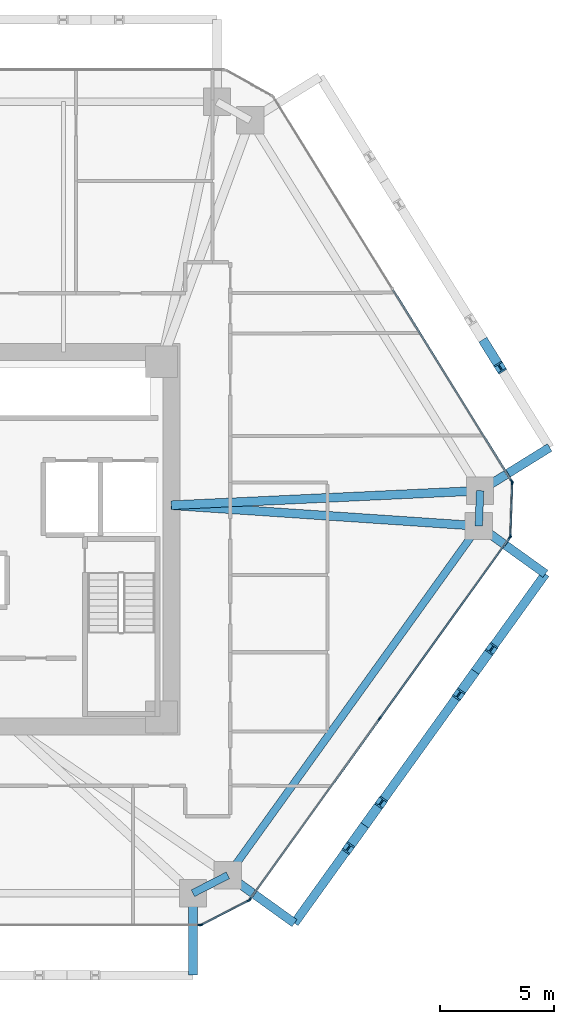
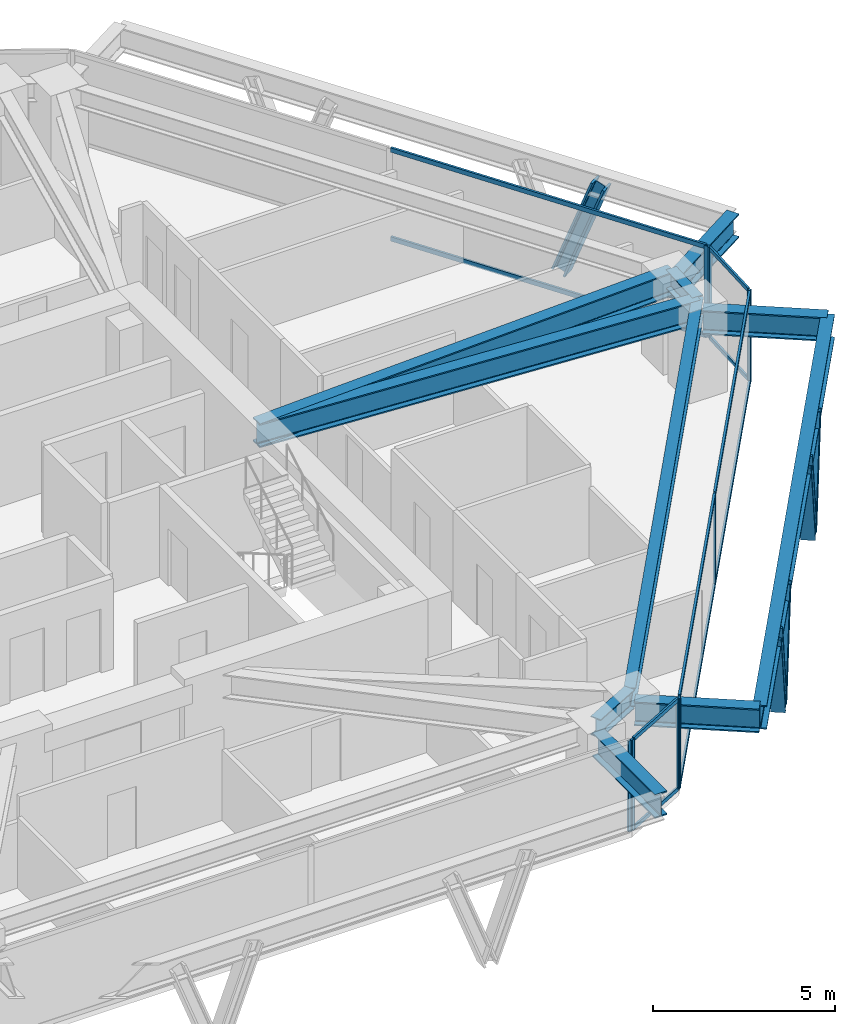
# One storey, part 5 of 14: 24 members, 10 beams, 5 elements without a shape of their own.
"""IFC4 building model written with IfcOpenShell, lengths in metres."""

from ifc_helpers import new_model, si_unit, direction, frame, origin, origin_2d, place, context, subcontext, project, spatial, rectangle, i_section, extrude, source, transform, mapped, material, layer, layer_set, material_profile, profile_set, type_object, type_shapes, element, aggregate, save


model = new_model("IFC4")

# Units and contexts
model_context = context("Model", 3, precision=1e-05, world=origin(), true_north=direction((0.0, 1.0)))
body_context = subcontext(model_context, "Body", "Model", "MODEL_VIEW")
ifc_project = project(units=[si_unit("LENGTHUNIT", "METRE"), si_unit("AREAUNIT", "SQUARE_METRE"), si_unit("VOLUMEUNIT", "CUBIC_METRE"), si_unit("PLANEANGLEUNIT", "RADIAN"), si_unit("MASSUNIT", "GRAM", prefix="KILO")], contexts=[model_context])

# Site, building, storey
site_placement = place(None, origin())
site = spatial("IfcSite", under=ifc_project, at=site_placement, CompositionType="ELEMENT")
building_placement = place(site_placement, origin())
building = spatial("IfcBuilding", under=site, at=building_placement, Name="Durnholm Broadcast Tower", CompositionType="ELEMENT")
storey_placement = place(building_placement, frame((0.0, 0.0, 120.60009765625)))
storey = spatial("IfcBuildingStorey", under=building, at=storey_placement, Name="L32", CompositionType="ELEMENT", Elevation=120.60009765625)

# Beams
ifc_material_1 = material(Name="Steel ASTM A992 Grade 50", Category="steel")
ifc_material_profile_1 = material_profile(ifc_material_1, i_section(OverallWidth=0.385009765625, OverallDepth=0.802978515625, WebThickness=0.023681640625, FlangeThickness=0.0419921875, FilletRadius=0.032958984375, at=origin_2d()), Name="W30X261")
ifc_profile_set_1 = profile_set([ifc_material_profile_1], Name="Steel ASTM A992 Grade 50")
beam_type_1 = type_object("IfcBeamType", Name="BM-EXO-TIE", PredefinedType="USERDEFINED", material=ifc_profile_set_1)
shared_shape_1 = source(origin(), body_context, "Body", "SweptSolid", [
    extrude(i_section(OverallWidth=0.385009765625, OverallDepth=0.802978515625, WebThickness=0.023681640625, FlangeThickness=0.0419921875, FilletRadius=0.032958984375, at=origin_2d()), origin(), (0.0, 0.0, 1.0), 3.4560546875),
])
for number, where, z_axis, x_axis, name in (
    (1, (11.176025390625, -15.680908203125, 2.30859375), (0.0, -1.0, 0.0), (1.0, 0.0, 0.0), "L32 exoskeleton stand-off tie bracket F1.2"),
    (2, (12.826904296875, -14.834228515625, 2.30859375), (0.812164951739, -0.583427880005, 0.0), (0.583427880005, 0.812164951739, 0.0), "L32 exoskeleton stand-off tie bracket F2.1"),
    (3, (23.844970703125, 0.5029296875, 2.30859375), (0.812164951739, -0.583427880005, 0.0), (0.583427880005, 0.812164951739, 0.0), "L32 exoskeleton stand-off tie bracket F2.2"),
    (4, (23.903076171875, 2.21240234375, 2.30859375), (0.849795112316, 0.527113144481, 0.0), (-0.527113144481, 0.849795112316, 0.0), "L32 exoskeleton stand-off tie bracket F3.1"),
):
    element("IfcBeam", number, at=place(storey_placement, frame(where, z_axis=z_axis, x_axis=x_axis)), inside=storey, type_object=beam_type_1, Name=name, ObjectType="GIRDER", PredefinedType="USERDEFINED", context=body_context, shape_type="MappedRepresentation", body=[
        mapped(shared_shape_1, transform((0.0, 0.0, 0.0), x_axis=(1.0, 0.0, 0.0), y_axis=(0.0, 1.0, 0.0), z_axis=(0.0, 0.0, 1.0), scale=1.0)),
    ])
ifc_material_profile_2 = material_profile(ifc_material_1, i_section(OverallWidth=0.3291015625, OverallDepth=0.635009765625, WebThickness=0.017822265625, FlangeThickness=0.031005859375, FilletRadius=0.02783203125, at=origin_2d()), Name="W24X162")
ifc_profile_set_2 = profile_set([ifc_material_profile_2], Name="Steel ASTM A992 Grade 50")
beam_type_2 = type_object("IfcBeamType", Name="STL-SP-W24X162", PredefinedType="SPANDREL", material=ifc_profile_set_2)
shared_shape_2 = source(origin(), body_context, "Body", "SweptSolid", [
    extrude(i_section(OverallWidth=0.3291015625, OverallDepth=0.635009765625, WebThickness=0.017822265625, FlangeThickness=0.031005859375, FilletRadius=0.02783203125, at=origin_2d()), origin(), (0.0, 0.0, 1.0), 18.884521484375),
])
beam_1_placement = place(storey_placement, frame((23.72802734375, 0.5869140625, 2.727294921875), z_axis=(-0.583443434414, -0.812153777827, 0.0), x_axis=(0.812153777827, -0.583443434414, 0.0)))
element("IfcBeam", 5, at=beam_1_placement, inside=storey, type_object=beam_type_2, Name="L32 perimeter spandrel girder 09", PredefinedType="SPANDREL", context=body_context, shape_type="MappedRepresentation", body=[
    mapped(shared_shape_2, transform((0.0, 0.0, 0.0), x_axis=(1.0, 0.0, 0.0), y_axis=(0.0, 1.0, 0.0), z_axis=(0.0, 0.0, 1.0), scale=1.0)),
])
shared_shape_3 = source(origin(), body_context, "Body", "SweptSolid", [
    extrude(i_section(OverallWidth=0.3291015625, OverallDepth=0.635009765625, WebThickness=0.017822265625, FlangeThickness=0.031005859375, FilletRadius=0.02783203125, at=origin_2d()), origin(), (0.0, 0.0, 1.0), 1.723876953125),
])
beam_2_placement = place(storey_placement, frame((12.7099609375, -14.750244140625, 2.727294921875), z_axis=(-0.889762904339, -0.456423020959, 0.0), x_axis=(0.456423020959, -0.889762904339, 0.0)))
element("IfcBeam", 6, at=beam_2_placement, inside=storey, type_object=beam_type_2, Name="L32 perimeter spandrel girder 10", PredefinedType="SPANDREL", context=body_context, shape_type="MappedRepresentation", body=[
    mapped(shared_shape_3, transform((0.0, 0.0, 0.0), x_axis=(1.0, 0.0, 0.0), y_axis=(0.0, 1.0, 0.0), z_axis=(0.0, 0.0, 1.0), scale=1.0)),
])
shared_shape_4 = source(origin(), body_context, "Body", "SweptSolid", [
    extrude(i_section(OverallWidth=0.3291015625, OverallDepth=0.635009765625, WebThickness=0.017822265625, FlangeThickness=0.031005859375, FilletRadius=0.02783203125, at=origin_2d()), origin(), (0.0, 0.0, 1.0), 1.55078125),
])
type_shapes(beam_type_2, [shared_shape_2, shared_shape_3, shared_shape_4])
beam_3_placement = place(storey_placement, frame((23.78076171875, 2.13671875, 2.727294921875), z_axis=(-0.03400678419, -0.999421602042, 0.0), x_axis=(0.999421602042, -0.03400678419, 0.0)))
element("IfcBeam", 7, at=beam_3_placement, inside=storey, type_object=beam_type_2, Name="L32 perimeter spandrel girder 08", PredefinedType="SPANDREL", context=body_context, shape_type="MappedRepresentation", body=[
    mapped(shared_shape_4, transform((0.0, 0.0, 0.0), x_axis=(1.0, 0.0, 0.0), y_axis=(0.0, 1.0, 0.0), z_axis=(0.0, 0.0, 1.0), scale=1.0)),
])
ifc_material_profile_3 = material_profile(ifc_material_1, i_section(OverallWidth=0.385009765625, OverallDepth=0.802978515625, WebThickness=0.023681640625, FlangeThickness=0.0419921875, FilletRadius=0.032958984375, at=origin_2d()), Name="W30X261")
ifc_profile_set_3 = profile_set([ifc_material_profile_3], Name="Steel ASTM A992 Grade 50")
beam_type_3 = type_object("IfcBeamType", Name="STL-GR-W30X261", PredefinedType="USERDEFINED", material=ifc_profile_set_3)
shared_shape_5 = source(origin(), body_context, "Body", "SweptSolid", [
    extrude(i_section(OverallWidth=0.385009765625, OverallDepth=0.802978515625, WebThickness=0.023681640625, FlangeThickness=0.0419921875, FilletRadius=0.032958984375, at=origin_2d()), origin(), (0.0, 0.0, 1.0), 13.570556640625),
])
beam_4_placement = place(storey_placement, frame((10.22509765625, 1.5, 2.643310546875), z_axis=(0.99889869961, 0.046918950518, 0.0), x_axis=(-0.046918950518, 0.99889869961, 0.0)))
element("IfcBeam", 8, at=beam_4_placement, inside=storey, type_object=beam_type_3, Name="L32 radial primary floor girder 08", ObjectType="GIRDER", PredefinedType="USERDEFINED", context=body_context, shape_type="MappedRepresentation", body=[
    mapped(shared_shape_5, transform((0.0, 0.0, 0.0), x_axis=(1.0, 0.0, 0.0), y_axis=(0.0, 1.0, 0.0), z_axis=(0.0, 0.0, 1.0), scale=1.0)),
])
shared_shape_6 = source(origin(), body_context, "Body", "SweptSolid", [
    extrude(i_section(OverallWidth=0.385009765625, OverallDepth=0.802978515625, WebThickness=0.023681640625, FlangeThickness=0.0419921875, FilletRadius=0.032958984375, at=origin_2d()), origin(), (0.0, 0.0, 1.0), 13.53369140625),
])
type_shapes(beam_type_3, [shared_shape_5, shared_shape_6])
beam_5_placement = place(storey_placement, frame((10.22509765625, 1.5, 2.643310546875), z_axis=(0.99772148964, -0.067467244725, 0.0), x_axis=(0.067467244725, 0.99772148964, 0.0)))
element("IfcBeam", 9, at=beam_5_placement, inside=storey, type_object=beam_type_3, Name="L32 radial primary floor girder 09", ObjectType="GIRDER", PredefinedType="USERDEFINED", context=body_context, shape_type="MappedRepresentation", body=[
    mapped(shared_shape_6, transform((0.0, 0.0, 0.0), x_axis=(1.0, 0.0, 0.0), y_axis=(0.0, 1.0, 0.0), z_axis=(0.0, 0.0, 1.0), scale=1.0)),
])
shared_shape_7 = source(origin(), body_context, "Body", "SweptSolid", [
    extrude(i_section(OverallWidth=0.385009765625, OverallDepth=0.802978515625, WebThickness=0.023681640625, FlangeThickness=0.0419921875, FilletRadius=0.032958984375, at=origin_2d()), origin(), (0.0, 0.0, 1.0), 18.884521484375),
])
type_shapes(beam_type_1, [shared_shape_1, shared_shape_7])
beam_6_placement = place(storey_placement, frame((15.6337890625, -16.8505859375, 2.30859375), z_axis=(0.583443434414, 0.812153777827, 0.0), x_axis=(-0.812153777827, 0.583443434414, 0.0)))
element("IfcBeam", 10, at=beam_6_placement, inside=storey, type_object=beam_type_1, Name="L32 exoskeleton collector spandrel F2", PredefinedType="SPANDREL", context=body_context, shape_type="MappedRepresentation", body=[
    mapped(shared_shape_7, transform((0.0, 0.0, 0.0), x_axis=(1.0, 0.0, 0.0), y_axis=(0.0, 1.0, 0.0), z_axis=(0.0, 0.0, 1.0), scale=1.0)),
])

# Members
ifc_material_2 = material(Name="Steel ASTM A913 Grade 65", Category="steel")
ifc_material_profile_4 = material_profile(ifc_material_2, i_section(OverallWidth=0.41845703125, OverallDepth=0.455078125, WebThickness=0.0419921875, FlangeThickness=0.067626953125, FilletRadius=0.030517578125, at=origin_2d()), Name="W14X370")
ifc_profile_set_4 = profile_set([ifc_material_profile_4], Name="Steel ASTM A913 Grade 65")
member_type_1 = type_object("IfcMemberType", Name="STL-DG-W14X370", PredefinedType="BRACE", material=ifc_profile_set_4)
shared_shape_8 = source(origin(), body_context, "Body", "SweptSolid", [
    extrude(i_section(OverallWidth=0.41845703125, OverallDepth=0.455078125, WebThickness=0.0419921875, FlangeThickness=0.067626953125, FilletRadius=0.030517578125, at=origin_2d()), origin(), (0.0, 0.0, 1.0), 3.523193359375),
])
type_shapes(member_type_1, [shared_shape_8])
for number, where, z_axis, x_axis, name in (
    (11, (18.71875, -12.556396484375, -0.991455078125), (-0.204287819296, -0.284395254542, 0.936688756248), (0.812179469647, -0.583407669717, 0.0), "L32 stand-off diagrid brace F2.D1.1"),
    (12, (18.71875, -12.556396484375, -0.991455078125), (0.204350195342, 0.284454917557, 0.936657033039), (-0.812153063014, 0.583444429434, 0.0), "L32 stand-off diagrid brace F2.D1.2"),
    (13, (23.56689453125, -5.807861328125, -0.991455078125), (-0.204350195342, -0.284454917557, 0.936657033039), (0.812153063014, -0.583444429434, 0.0), "L32 stand-off diagrid brace F2.D2.1"),
    (14, (23.56689453125, -5.807861328125, -0.991455078125), (0.204287819296, 0.284395254542, 0.936688756248), (-0.812179469647, 0.583407669717, 0.0), "L32 stand-off diagrid brace F2.D2.2"),
    (15, (24.01513671875, 8.58837890625, -0.991455078125), (0.184602835855, -0.297623566065, 0.936665364961), (0.849805205368, 0.527096872433, 0.0), "L32 stand-off diagrid brace F3.D1.1"),
):
    element("IfcMember", number, at=place(storey_placement, frame(where, z_axis=z_axis, x_axis=x_axis)), inside=storey, type_object=member_type_1, Name=name, PredefinedType="BRACE", context=body_context, shape_type="MappedRepresentation", body=[
        mapped(shared_shape_8, transform((0.0, 0.0, 0.0), x_axis=(1.0, 0.0, 0.0), y_axis=(0.0, 1.0, 0.0), z_axis=(0.0, 0.0, 1.0), scale=1.0)),
    ])

# Curtain wall, members
ifc_material_3 = material(Name="Aluminium and Solar Control IGU", Category="aluminium")
ifc_layer_1 = layer(ifc_material_3, 0.1650390625)
ifc_layer_set_1 = layer_set([ifc_layer_1], Name="Aluminium and Solar Control IGU")
curtain_wall_type_1 = type_object("IfcCurtainWallType", Name="CW-SYS-5", PredefinedType="NOTDEFINED", material=ifc_layer_set_1)
curtain_wall_1_placement = place(storey_placement, origin())
curtain_wall_1 = element("IfcCurtainWall", 16, at=curtain_wall_1_placement, inside=storey, type_object=curtain_wall_type_1, Name="L32 curtain wall CW-CORNER CW-L32-CRN-07", PredefinedType="NOTDEFINED")
ifc_material_4 = material(Name="Aluminium 6063-T6", Category="aluminium")
ifc_material_profile_5 = material_profile(ifc_material_4, rectangle(XDim=0.06494140625, YDim=0.1650390625, at=origin_2d()), Name="CWM65X165")
ifc_profile_set_5 = profile_set([ifc_material_profile_5], Name="Aluminium 6063-T6")
member_type_2 = type_object("IfcMemberType", Name="CW-SYS-5-MUL", PredefinedType="MULLION", material=ifc_profile_set_5)
shared_shape_9 = source(origin(), body_context, "Body", "SweptSolid", [
    extrude(rectangle(XDim=0.06494140625, YDim=0.1650390625, at=origin_2d()), origin(), (0.0, 0.0, 1.0), 3.059814453125),
])
type_shapes(member_type_2, [shared_shape_9])
member_1_placement = place(storey_placement, frame((25.193115234375, 2.481201171875, 0.0), z_axis=(0.0, 0.0, 1.0), x_axis=(0.999424655155, -0.033916937775, 0.0)))
member_1 = element("IfcMember", 17, at=member_1_placement, type_object=member_type_2, Name="CW-CORNER mullion 1", PredefinedType="MULLION", context=body_context, shape_type="MappedRepresentation", body=[
    mapped(shared_shape_9, transform((0.0, 0.0, 0.0), x_axis=(1.0, 0.0, 0.0), y_axis=(0.0, 1.0, 0.0), z_axis=(0.0, 0.0, 1.0), scale=1.0)),
])
member_2_placement = place(storey_placement, frame((25.114013671875, 0.1474609375, 0.0), z_axis=(0.0, 0.0, 1.0), x_axis=(0.999424655155, -0.033916937775, 0.0)))
member_2 = element("IfcMember", 18, at=member_2_placement, type_object=member_type_2, Name="CW-CORNER mullion 2", PredefinedType="MULLION", context=body_context, shape_type="MappedRepresentation", body=[
    mapped(shared_shape_9, transform((0.0, 0.0, 0.0), x_axis=(1.0, 0.0, 0.0), y_axis=(0.0, 1.0, 0.0), z_axis=(0.0, 0.0, 1.0), scale=1.0)),
])

curtain_wall_2_placement = place(storey_placement, origin())
curtain_wall_2 = element("IfcCurtainWall", 19, at=curtain_wall_2_placement, inside=storey, type_object=curtain_wall_type_1, Name="L32 curtain wall CW-CORNER CW-L32-CRN-09", PredefinedType="NOTDEFINED")
member_3_placement = place(storey_placement, frame((13.620849609375, -15.8564453125, 0.0), z_axis=(0.0, 0.0, 1.0), x_axis=(0.45637332267, -0.889788396392, 0.0)))
member_3 = element("IfcMember", 20, at=member_3_placement, type_object=member_type_2, Name="CW-CORNER mullion 1", PredefinedType="MULLION", context=body_context, shape_type="MappedRepresentation", body=[
    mapped(shared_shape_9, transform((0.0, 0.0, 0.0), x_axis=(1.0, 0.0, 0.0), y_axis=(0.0, 1.0, 0.0), z_axis=(0.0, 0.0, 1.0), scale=1.0)),
])
member_4_placement = place(storey_placement, frame((11.543212890625, -16.922119140625, 0.0), z_axis=(0.0, 0.0, 1.0), x_axis=(0.45637332267, -0.889788396392, 0.0)))
member_4 = element("IfcMember", 21, at=member_4_placement, type_object=member_type_2, Name="CW-CORNER mullion 2", PredefinedType="MULLION", context=body_context, shape_type="MappedRepresentation", body=[
    mapped(shared_shape_9, transform((0.0, 0.0, 0.0), x_axis=(1.0, 0.0, 0.0), y_axis=(0.0, 1.0, 0.0), z_axis=(0.0, 0.0, 1.0), scale=1.0)),
])

# Curtain wall, member
ifc_layer_2 = layer(ifc_material_3, 0.18994140625)
ifc_layer_set_2 = layer_set([ifc_layer_2], Name="Aluminium and Solar Control IGU")
curtain_wall_type_2 = type_object("IfcCurtainWallType", Name="CW-SYS-3", PredefinedType="NOTDEFINED", material=ifc_layer_set_2)
curtain_wall_3_placement = place(storey_placement, origin())
curtain_wall_3 = element("IfcCurtainWall", 22, at=curtain_wall_3_placement, inside=storey, type_object=curtain_wall_type_2, Name="L32 curtain wall CW-Z12-VIS CW-L32-F06", PredefinedType="NOTDEFINED")
ifc_material_profile_6 = material_profile(ifc_material_4, rectangle(XDim=0.070068359375, YDim=0.18994140625, at=origin_2d()), Name="CWM70X190")
ifc_profile_set_6 = profile_set([ifc_material_profile_6], Name="Aluminium 6063-T6")
member_type_3 = type_object("IfcMemberType", Name="CW-SYS-3-MUL", PredefinedType="MULLION", material=ifc_profile_set_6)
shared_shape_10 = source(origin(), body_context, "Body", "SweptSolid", [
    extrude(rectangle(XDim=0.070068359375, YDim=0.18994140625, at=origin_2d()), origin(), (0.0, 0.0, 1.0), 3.059814453125),
])
type_shapes(member_type_3, [shared_shape_10])
member_5_placement = place(storey_placement, frame((25.17578125, 2.54345703125, 0.0), z_axis=(0.0, 0.0, 1.0), x_axis=(0.849799925229, 0.527105385176, 0.0)))
member_5 = element("IfcMember", 23, at=member_5_placement, type_object=member_type_3, Name="CW-Z12-VIS mullion 3", PredefinedType="MULLION", context=body_context, shape_type="MappedRepresentation", body=[
    mapped(shared_shape_10, transform((0.0, 0.0, 0.0), x_axis=(1.0, 0.0, 0.0), y_axis=(0.0, 1.0, 0.0), z_axis=(0.0, 0.0, 1.0), scale=1.0)),
])

# Curtain wall, members
curtain_wall_4_placement = place(storey_placement, origin())
curtain_wall_4 = element("IfcCurtainWall", 24, at=curtain_wall_4_placement, inside=storey, type_object=curtain_wall_type_2, Name="L32 curtain wall CW-Z12-VIS CW-L32-F08", PredefinedType="NOTDEFINED")
member_6_placement = place(storey_placement, frame((25.092529296875, 0.086669921875, 0.0), z_axis=(0.0, 0.0, 1.0), x_axis=(0.812152312759, -0.583445473786, 0.0)))
member_6 = element("IfcMember", 25, at=member_6_placement, type_object=member_type_3, Name="CW-Z12-VIS mullion 1", PredefinedType="MULLION", context=body_context, shape_type="MappedRepresentation", body=[
    mapped(shared_shape_10, transform((0.0, 0.0, 0.0), x_axis=(1.0, 0.0, 0.0), y_axis=(0.0, 1.0, 0.0), z_axis=(0.0, 0.0, 1.0), scale=1.0)),
])
member_7_placement = place(storey_placement, frame((19.38134765625, -7.86328125, 0.0), z_axis=(0.0, 0.0, 1.0), x_axis=(0.812152312759, -0.583445473786, 0.0)))
member_7 = element("IfcMember", 26, at=member_7_placement, type_object=member_type_3, Name="CW-Z12-VIS mullion 2", PredefinedType="MULLION", context=body_context, shape_type="MappedRepresentation", body=[
    mapped(shared_shape_10, transform((0.0, 0.0, 0.0), x_axis=(1.0, 0.0, 0.0), y_axis=(0.0, 1.0, 0.0), z_axis=(0.0, 0.0, 1.0), scale=1.0)),
])
member_8_placement = place(storey_placement, frame((13.670166015625, -15.813232421875, 0.0), z_axis=(0.0, 0.0, 1.0), x_axis=(0.812152312759, -0.583445473786, 0.0)))
member_8 = element("IfcMember", 27, at=member_8_placement, type_object=member_type_3, Name="CW-Z12-VIS mullion 3", PredefinedType="MULLION", context=body_context, shape_type="MappedRepresentation", body=[
    mapped(shared_shape_10, transform((0.0, 0.0, 0.0), x_axis=(1.0, 0.0, 0.0), y_axis=(0.0, 1.0, 0.0), z_axis=(0.0, 0.0, 1.0), scale=1.0)),
])

# Curtain wall, member
curtain_wall_5_placement = place(storey_placement, origin())
curtain_wall_5 = element("IfcCurtainWall", 28, at=curtain_wall_5_placement, inside=storey, type_object=curtain_wall_type_2, Name="L32 curtain wall CW-Z12-VIS CW-L32-F10", PredefinedType="NOTDEFINED")
member_9_placement = place(storey_placement, frame((11.479248046875, -16.93701171875, 0.0), z_axis=(0.0, 0.0, 1.0), x_axis=(0.0, -1.0, 0.0)))
member_9 = element("IfcMember", 29, at=member_9_placement, type_object=member_type_3, Name="CW-Z12-VIS mullion 1", PredefinedType="MULLION", context=body_context, shape_type="MappedRepresentation", body=[
    mapped(shared_shape_10, transform((0.0, 0.0, 0.0), x_axis=(1.0, 0.0, 0.0), y_axis=(0.0, 1.0, 0.0), z_axis=(0.0, 0.0, 1.0), scale=1.0)),
])
aggregate(curtain_wall_5, [member_9])

# Member
ifc_material_profile_7 = material_profile(ifc_material_4, rectangle(XDim=0.06494140625, YDim=0.1298828125, at=origin_2d()), Name="CWT65X130")
ifc_profile_set_7 = profile_set([ifc_material_profile_7], Name="Aluminium 6063-T6")
member_type_4 = type_object("IfcMemberType", Name="CW-SYS-5-TRN", PredefinedType="USERDEFINED", material=ifc_profile_set_7)
shared_shape_11 = source(origin(), body_context, "Body", "SweptSolid", [
    extrude(rectangle(XDim=0.06494140625, YDim=0.1298828125, at=origin_2d()), origin(), (0.0, 0.0, 1.0), 2.27001953125),
])
type_shapes(member_type_4, [shared_shape_11])
member_10_placement = place(storey_placement, frame((25.192138671875, 2.44873046875, 0.032470703125), z_axis=(-0.03398444704, -0.999422361847, 0.0), x_axis=(0.999422361847, -0.03398444704, 0.0)))
member_10 = element("IfcMember", 30, at=member_10_placement, type_object=member_type_4, Name="CW-CORNER transom 1.1", ObjectType="TRANSOM", PredefinedType="USERDEFINED", context=body_context, shape_type="MappedRepresentation", body=[
    mapped(shared_shape_11, transform((0.0, 0.0, 0.0), x_axis=(1.0, 0.0, 0.0), y_axis=(0.0, 1.0, 0.0), z_axis=(0.0, 0.0, 1.0), scale=1.0)),
])

member_11_placement = place(storey_placement, frame((25.192138671875, 2.44873046875, 3.02734375), z_axis=(-0.03398444704, -0.999422361847, 0.0), x_axis=(0.999422361847, -0.03398444704, 0.0)))
member_11 = element("IfcMember", 31, at=member_11_placement, type_object=member_type_4, Name="CW-CORNER transom 1.2", ObjectType="TRANSOM", PredefinedType="USERDEFINED", context=body_context, shape_type="MappedRepresentation", body=[
    mapped(shared_shape_11, transform((0.0, 0.0, 0.0), x_axis=(1.0, 0.0, 0.0), y_axis=(0.0, 1.0, 0.0), z_axis=(0.0, 0.0, 1.0), scale=1.0)),
])

aggregate(curtain_wall_1, [member_1, member_2, member_10, member_11])

member_12_placement = place(storey_placement, frame((13.591796875, -15.871337890625, 0.032470703125), z_axis=(-0.889798425843, -0.456353767781, 0.0), x_axis=(0.456353767781, -0.889798425843, 0.0)))
member_12 = element("IfcMember", 32, at=member_12_placement, type_object=member_type_4, Name="CW-CORNER transom 1.1", ObjectType="TRANSOM", PredefinedType="USERDEFINED", context=body_context, shape_type="MappedRepresentation", body=[
    mapped(shared_shape_11, transform((0.0, 0.0, 0.0), x_axis=(1.0, 0.0, 0.0), y_axis=(0.0, 1.0, 0.0), z_axis=(0.0, 0.0, 1.0), scale=1.0)),
])

member_13_placement = place(storey_placement, frame((13.591796875, -15.871337890625, 3.02734375), z_axis=(-0.889798425843, -0.456353767781, 0.0), x_axis=(0.456353767781, -0.889798425843, 0.0)))
member_13 = element("IfcMember", 33, at=member_13_placement, type_object=member_type_4, Name="CW-CORNER transom 1.2", ObjectType="TRANSOM", PredefinedType="USERDEFINED", context=body_context, shape_type="MappedRepresentation", body=[
    mapped(shared_shape_11, transform((0.0, 0.0, 0.0), x_axis=(1.0, 0.0, 0.0), y_axis=(0.0, 1.0, 0.0), z_axis=(0.0, 0.0, 1.0), scale=1.0)),
])

aggregate(curtain_wall_2, [member_3, member_4, member_12, member_13])

ifc_material_profile_8 = material_profile(ifc_material_4, rectangle(XDim=0.070068359375, YDim=0.14990234375, at=origin_2d()), Name="CWT70X150")
ifc_profile_set_8 = profile_set([ifc_material_profile_8], Name="Aluminium 6063-T6")
member_type_5 = type_object("IfcMemberType", Name="CW-SYS-3-TRN", PredefinedType="USERDEFINED", material=ifc_profile_set_8)
shared_shape_12 = source(origin(), body_context, "Body", "SweptSolid", [
    extrude(rectangle(XDim=0.070068359375, YDim=0.14990234375, at=origin_2d()), origin(), (0.0, 0.0, 1.0), 9.71875),
])
member_14_placement = place(storey_placement, frame((25.072021484375, 0.05810546875, 0.034912109375), z_axis=(-0.583450726174, -0.812148539448, 0.0), x_axis=(0.812148539448, -0.583450726174, 0.0)))
member_14 = element("IfcMember", 34, at=member_14_placement, type_object=member_type_5, Name="CW-Z12-VIS transom 1.1", ObjectType="TRANSOM", PredefinedType="USERDEFINED", context=body_context, shape_type="MappedRepresentation", body=[
    mapped(shared_shape_12, transform((0.0, 0.0, 0.0), x_axis=(1.0, 0.0, 0.0), y_axis=(0.0, 1.0, 0.0), z_axis=(0.0, 0.0, 1.0), scale=1.0)),
])

member_15_placement = place(storey_placement, frame((25.072021484375, 0.05810546875, 3.02490234375), z_axis=(-0.583450726174, -0.812148539448, 0.0), x_axis=(0.812148539448, -0.583450726174, 0.0)))
member_15 = element("IfcMember", 35, at=member_15_placement, type_object=member_type_5, Name="CW-Z12-VIS transom 1.2", ObjectType="TRANSOM", PredefinedType="USERDEFINED", context=body_context, shape_type="MappedRepresentation", body=[
    mapped(shared_shape_12, transform((0.0, 0.0, 0.0), x_axis=(1.0, 0.0, 0.0), y_axis=(0.0, 1.0, 0.0), z_axis=(0.0, 0.0, 1.0), scale=1.0)),
])

member_16_placement = place(storey_placement, frame((19.36083984375, -7.891845703125, 0.034912109375), z_axis=(-0.583450726174, -0.812148539448, 0.0), x_axis=(0.812148539448, -0.583450726174, 0.0)))
member_16 = element("IfcMember", 36, at=member_16_placement, type_object=member_type_5, Name="CW-Z12-VIS transom 2.1", ObjectType="TRANSOM", PredefinedType="USERDEFINED", context=body_context, shape_type="MappedRepresentation", body=[
    mapped(shared_shape_12, transform((0.0, 0.0, 0.0), x_axis=(1.0, 0.0, 0.0), y_axis=(0.0, 1.0, 0.0), z_axis=(0.0, 0.0, 1.0), scale=1.0)),
])

member_17_placement = place(storey_placement, frame((19.36083984375, -7.891845703125, 3.02490234375), z_axis=(-0.583450726174, -0.812148539448, 0.0), x_axis=(0.812148539448, -0.583450726174, 0.0)))
member_17 = element("IfcMember", 37, at=member_17_placement, type_object=member_type_5, Name="CW-Z12-VIS transom 2.2", ObjectType="TRANSOM", PredefinedType="USERDEFINED", context=body_context, shape_type="MappedRepresentation", body=[
    mapped(shared_shape_12, transform((0.0, 0.0, 0.0), x_axis=(1.0, 0.0, 0.0), y_axis=(0.0, 1.0, 0.0), z_axis=(0.0, 0.0, 1.0), scale=1.0)),
])

aggregate(curtain_wall_4, [member_6, member_7, member_8, member_14, member_15, member_16, member_17])

shared_shape_13 = source(origin(), body_context, "Body", "SweptSolid", [
    extrude(rectangle(XDim=0.070068359375, YDim=0.14990234375, at=origin_2d()), origin(), (0.0, 0.0, 1.0), 9.859130859375),
])
type_shapes(member_type_5, [shared_shape_12, shared_shape_13])
member_18_placement = place(storey_placement, frame((19.960693359375, 10.951171875, 0.034912109375), z_axis=(0.527108872232, -0.849797762303, 0.0), x_axis=(0.849797762303, 0.527108872232, 0.0)))
member_18 = element("IfcMember", 38, at=member_18_placement, type_object=member_type_5, Name="CW-Z12-VIS transom 2.1", ObjectType="TRANSOM", PredefinedType="USERDEFINED", context=body_context, shape_type="MappedRepresentation", body=[
    mapped(shared_shape_13, transform((0.0, 0.0, 0.0), x_axis=(1.0, 0.0, 0.0), y_axis=(0.0, 1.0, 0.0), z_axis=(0.0, 0.0, 1.0), scale=1.0)),
])

member_19_placement = place(storey_placement, frame((19.960693359375, 10.951171875, 3.02490234375), z_axis=(0.527108872232, -0.849797762303, 0.0), x_axis=(0.849797762303, 0.527108872232, 0.0)))
member_19 = element("IfcMember", 39, at=member_19_placement, type_object=member_type_5, Name="CW-Z12-VIS transom 2.2", ObjectType="TRANSOM", PredefinedType="USERDEFINED", context=body_context, shape_type="MappedRepresentation", body=[
    mapped(shared_shape_13, transform((0.0, 0.0, 0.0), x_axis=(1.0, 0.0, 0.0), y_axis=(0.0, 1.0, 0.0), z_axis=(0.0, 0.0, 1.0), scale=1.0)),
])

aggregate(curtain_wall_3, [member_5, member_18, member_19])

save(model, "model.ifc")
